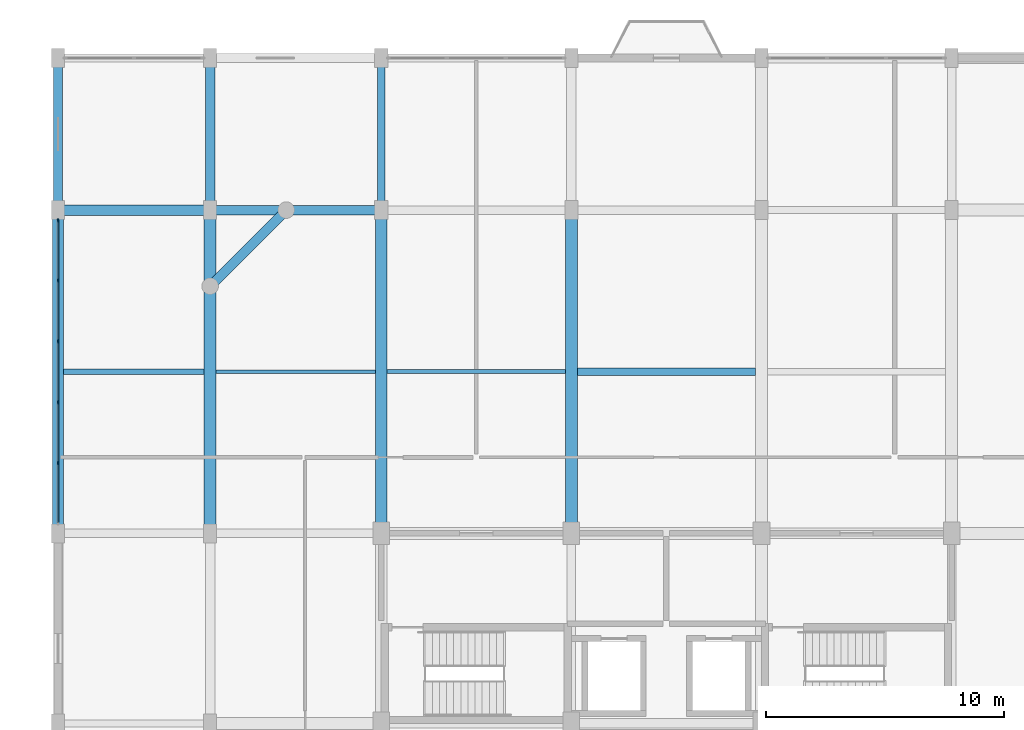
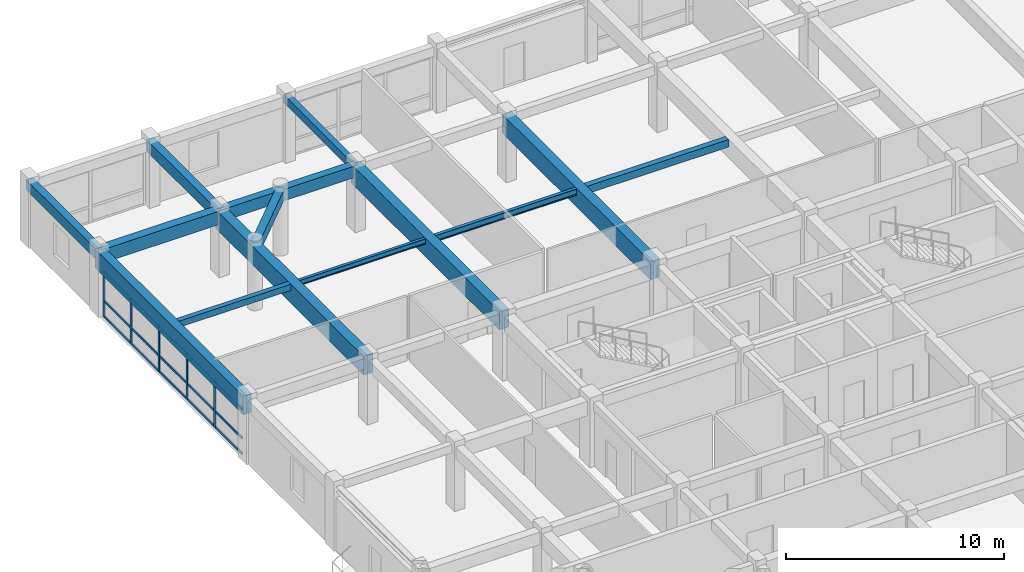
# One storey, part 6 of 15: 20 members, 14 beams, 1 element without a shape of its own.
"""IFC4 building model written with IfcOpenShell, lengths in metres."""

from ifc_helpers import new_model, si_unit, direction, frame, origin, origin_2d, place, context, subcontext, project, spatial, rectangle, i_section, extrude, material, material_profile, profile_set, type_object, element, aggregate, save


model = new_model("IFC4")

# Units and contexts
model_context = context("Model", 3, precision=1e-05, world=origin(), true_north=direction((0.0, 1.0)))
body_context = subcontext(model_context, "Body", "Model", "MODEL_VIEW")
ifc_project = project(units=[si_unit("LENGTHUNIT", "METRE"), si_unit("AREAUNIT", "SQUARE_METRE"), si_unit("VOLUMEUNIT", "CUBIC_METRE"), si_unit("PLANEANGLEUNIT", "RADIAN"), si_unit("MASSUNIT", "GRAM", prefix="KILO")], contexts=[model_context])

# Site, building, storey
site_placement = place(None, origin())
site = spatial("IfcSite", under=ifc_project, at=site_placement, CompositionType="ELEMENT")
building_placement = place(site_placement, origin())
building = spatial("IfcBuilding", under=site, at=building_placement, Name="Vellmiral Cinema and Media Centre", CompositionType="ELEMENT")
storey_placement = place(building_placement, frame((0.0, 0.0, 35.60009765625)))
storey = spatial("IfcBuildingStorey", under=building, at=storey_placement, Name="L08", CompositionType="ELEMENT", Elevation=35.60009765625)

# Beams
ifc_material_1 = material(Name="Concrete C40/50", Category="concrete")
ifc_material_profile_1 = material_profile(ifc_material_1, rectangle(XDim=0.300048828125, YDim=0.449951171875, at=origin_2d()), Name="RC 300x450")
ifc_profile_set_1 = profile_set([ifc_material_profile_1], Name="Concrete C40/50")
beam_type_1 = type_object("IfcBeamType", Name="BM-RC-300x450", PredefinedType="BEAM", material=ifc_profile_set_1)
beam_1_placement = place(storey_placement, frame((124.0, 108.800048828125, 3.369873046875), z_axis=(0.0, 1.0, 0.0), x_axis=(-1.0, 0.0, 0.0)))
element("IfcBeam", 1, at=beam_1_placement, inside=storey, type_object=beam_type_1, Name="Grid Beam L08-Y066", PredefinedType="BEAM", context=body_context, shape_type="SweptSolid", body=[
    extrude(rectangle(XDim=0.300048828125, YDim=0.449951171875, at=origin_2d()), origin(), (0.0, 0.0, 1.0), 6.39990234375),
])
ifc_material_2 = material(Name="Concrete C40/50", Category="concrete")
ifc_material_profile_2 = material_profile(ifc_material_2, rectangle(XDim=0.39990234375, YDim=0.64990234375, at=origin_2d()), Name="RC 400x650")
ifc_profile_set_2 = profile_set([ifc_material_profile_2], Name="Concrete C40/50")
beam_type_2 = type_object("IfcBeamType", Name="BM-RC-400x650", PredefinedType="BEAM", material=ifc_profile_set_2)
beam_2_placement = place(storey_placement, frame((116.800048828125, 108.800048828125, 3.27001953125), z_axis=(1.0, 0.0, 0.0), x_axis=(0.0, 1.0, 0.0)))
element("IfcBeam", 2, at=beam_2_placement, inside=storey, type_object=beam_type_2, Name="Grid Beam L08-X037", PredefinedType="BEAM", context=body_context, shape_type="SweptSolid", body=[
    extrude(rectangle(XDim=0.39990234375, YDim=0.64990234375, at=origin_2d()), origin(), (0.0, 0.0, 1.0), 7.199951171875),
])
beam_3_placement = place(storey_placement, frame((116.800048828125, 108.800048828125, 3.27001953125), z_axis=(0.0, 1.0, 0.0), x_axis=(-1.0, 0.0, 0.0)))
element("IfcBeam", 3, at=beam_3_placement, inside=storey, type_object=beam_type_2, Name="Grid Beam L08-Y060", PredefinedType="BEAM", context=body_context, shape_type="SweptSolid", body=[
    extrude(rectangle(XDim=0.39990234375, YDim=0.64990234375, at=origin_2d()), origin(), (0.0, 0.0, 1.0), 6.39990234375),
])
ifc_material_3 = material(Name="Concrete C40/50", Category="concrete")
ifc_material_profile_3 = material_profile(ifc_material_3, rectangle(XDim=0.449951171875, YDim=0.75, at=origin_2d()), Name="RC 450x750")
ifc_profile_set_3 = profile_set([ifc_material_profile_3], Name="Concrete C40/50")
beam_type_3 = type_object("IfcBeamType", Name="BM-RC-450x750", PredefinedType="BEAM", material=ifc_profile_set_3)
beam_4_placement = place(storey_placement, frame((110.39990234375, 108.800048828125, 3.219970703125), z_axis=(1.0, 0.0, 0.0), x_axis=(0.0, 1.0, 0.0)))
element("IfcBeam", 4, at=beam_4_placement, inside=storey, type_object=beam_type_3, Name="Grid Beam L08-X036", PredefinedType="BEAM", context=body_context, shape_type="SweptSolid", body=[
    extrude(rectangle(XDim=0.449951171875, YDim=0.75, at=origin_2d()), origin(), (0.0, 0.0, 1.0), 6.400146484375),
])
ifc_material_4 = material(Name="Concrete C40/50", Category="concrete")
ifc_material_profile_4 = material_profile(ifc_material_4, rectangle(XDim=0.5, YDim=1.050048828125, at=origin_2d()), Name="RC 500x1050")
ifc_profile_set_4 = profile_set([ifc_material_profile_4], Name="Concrete C40/50")
beam_type_4 = type_object("IfcBeamType", Name="BM-RCG-500x1050", PredefinedType="BEAM", material=ifc_profile_set_4)
for number, where, z_axis, x_axis, name in (
    (5, (116.800048828125, 95.199951171875, 3.06982421875), (0.0, 1.0, 0.0), (-1.0, 0.0, 0.0), "Grid Beam L08-Y059"),
    (6, (124.0, 95.199951171875, 3.06982421875), (0.0, 1.0, 0.0), (-1.0, 0.0, 0.0), "Grid Beam L08-Y065"),
    (7, (132.0, 95.199951171875, 3.06982421875), (0.0, 1.0, 0.0), (-1.0, 0.0, 0.0), "Grid Beam L08-Y071"),
):
    element("IfcBeam", number, at=place(storey_placement, frame(where, z_axis=z_axis, x_axis=x_axis)), inside=storey, type_object=beam_type_4, Name=name, PredefinedType="BEAM", context=body_context, shape_type="SweptSolid", body=[
        extrude(rectangle(XDim=0.5, YDim=1.050048828125, at=origin_2d()), origin(), (0.0, 0.0, 1.0), 13.60009765625),
    ])

# Curtain wall, members
ifc_material_5 = material(Name="Thermally Broken Aluminium and Triple Glazing", Category="aluminium")
curtain_wall_type = type_object("IfcCurtainWallType", Name="CW-TOWER-LOW-N", PredefinedType="USERDEFINED", material=ifc_material_5)
curtain_wall_placement = place(storey_placement, origin())
curtain_wall = element("IfcCurtainWall", 8, at=curtain_wall_placement, inside=storey, type_object=curtain_wall_type, Name="Curtain Wall L08-B025", ObjectType="UNITISED CURTAIN WALL", PredefinedType="USERDEFINED")
ifc_material_6 = material(Name="Thermally Broken Anodised Aluminium", Category="aluminium")
ifc_material_profile_5 = material_profile(ifc_material_6, rectangle(XDim=0.06494140625, YDim=0.159912109375, at=origin_2d()), Name="MULL 65x160")
ifc_profile_set_5 = profile_set([ifc_material_profile_5], Name="Thermally Broken Anodised Aluminium")
member_type_1 = type_object("IfcMemberType", Name="CWM-65x160", PredefinedType="MULLION", material=ifc_profile_set_5)
member_1_placement = place(storey_placement, frame((110.39990234375, 108.367431640625, 0.0), z_axis=(0.0, 0.0, 1.0), x_axis=(1.0, 0.0, 0.0)))
member_1 = element("IfcMember", 9, at=member_1_placement, type_object=member_type_1, Name="CW-05 mullion 1", PredefinedType="MULLION", context=body_context, shape_type="SweptSolid", body=[
    extrude(rectangle(XDim=0.06494140625, YDim=0.159912109375, at=origin_2d()), origin(), (0.0, 0.0, 1.0), 2.534912109375),
])
member_2_placement = place(storey_placement, frame((110.39990234375, 105.840087890625, 0.0), z_axis=(0.0, 0.0, 1.0), x_axis=(1.0, 0.0, 0.0)))
member_2 = element("IfcMember", 10, at=member_2_placement, type_object=member_type_1, Name="CW-05 mullion 2", PredefinedType="MULLION", context=body_context, shape_type="SweptSolid", body=[
    extrude(rectangle(XDim=0.06494140625, YDim=0.159912109375, at=origin_2d()), origin(), (0.0, 0.0, 1.0), 2.534912109375),
])
member_3_placement = place(storey_placement, frame((110.39990234375, 103.280029296875, 0.0), z_axis=(0.0, 0.0, 1.0), x_axis=(1.0, 0.0, 0.0)))
member_3 = element("IfcMember", 11, at=member_3_placement, type_object=member_type_1, Name="CW-05 mullion 3", PredefinedType="MULLION", context=body_context, shape_type="SweptSolid", body=[
    extrude(rectangle(XDim=0.06494140625, YDim=0.159912109375, at=origin_2d()), origin(), (0.0, 0.0, 1.0), 2.534912109375),
])
member_4_placement = place(storey_placement, frame((110.39990234375, 100.719970703125, 0.0), z_axis=(0.0, 0.0, 1.0), x_axis=(1.0, 0.0, 0.0)))
member_4 = element("IfcMember", 12, at=member_4_placement, type_object=member_type_1, Name="CW-05 mullion 4", PredefinedType="MULLION", context=body_context, shape_type="SweptSolid", body=[
    extrude(rectangle(XDim=0.06494140625, YDim=0.159912109375, at=origin_2d()), origin(), (0.0, 0.0, 1.0), 2.534912109375),
])
member_5_placement = place(storey_placement, frame((110.39990234375, 98.159912109375, 0.0), z_axis=(0.0, 0.0, 1.0), x_axis=(1.0, 0.0, 0.0)))
member_5 = element("IfcMember", 13, at=member_5_placement, type_object=member_type_1, Name="CW-05 mullion 5", PredefinedType="MULLION", context=body_context, shape_type="SweptSolid", body=[
    extrude(rectangle(XDim=0.06494140625, YDim=0.159912109375, at=origin_2d()), origin(), (0.0, 0.0, 1.0), 2.534912109375),
])
ifc_material_7 = material(Name="Thermally Broken Anodised Aluminium", Category="aluminium")
ifc_material_profile_6 = material_profile(ifc_material_7, rectangle(XDim=0.06494140625, YDim=0.135009765625, at=origin_2d()), Name="MULL 65x135")
ifc_profile_set_6 = profile_set([ifc_material_profile_6], Name="Thermally Broken Anodised Aluminium")
member_type_2 = type_object("IfcMemberType", Name="CWT-65x135", PredefinedType="USERDEFINED", material=ifc_profile_set_6)
member_6_placement = place(storey_placement, frame((110.39990234375, 108.3349609375, 0.032470703125), z_axis=(0.0, -1.0, 0.0), x_axis=(1.0, 0.0, 0.0)))
member_6 = element("IfcMember", 14, at=member_6_placement, type_object=member_type_2, Name="CW-05 transom 1.1", ObjectType="TRANSOM", PredefinedType="USERDEFINED", context=body_context, shape_type="SweptSolid", body=[
    extrude(rectangle(XDim=0.06494140625, YDim=0.135009765625, at=origin_2d()), origin(), (0.0, 0.0, 1.0), 2.46240234375),
])
member_7_placement = place(storey_placement, frame((110.39990234375, 108.3349609375, 0.89990234375), z_axis=(0.0, -1.0, 0.0), x_axis=(1.0, 0.0, 0.0)))
member_7 = element("IfcMember", 15, at=member_7_placement, type_object=member_type_2, Name="CW-05 transom 1.2", ObjectType="TRANSOM", PredefinedType="USERDEFINED", context=body_context, shape_type="SweptSolid", body=[
    extrude(rectangle(XDim=0.06494140625, YDim=0.135009765625, at=origin_2d()), origin(), (0.0, 0.0, 1.0), 2.46240234375),
])
member_8_placement = place(storey_placement, frame((110.39990234375, 108.3349609375, 2.50244140625), z_axis=(0.0, -1.0, 0.0), x_axis=(1.0, 0.0, 0.0)))
member_8 = element("IfcMember", 16, at=member_8_placement, type_object=member_type_2, Name="CW-05 transom 1.3", ObjectType="TRANSOM", PredefinedType="USERDEFINED", context=body_context, shape_type="SweptSolid", body=[
    extrude(rectangle(XDim=0.06494140625, YDim=0.135009765625, at=origin_2d()), origin(), (0.0, 0.0, 1.0), 2.46240234375),
])
member_9_placement = place(storey_placement, frame((110.39990234375, 105.8076171875, 0.032470703125), z_axis=(0.0, -1.0, 0.0), x_axis=(1.0, 0.0, 0.0)))
member_9 = element("IfcMember", 17, at=member_9_placement, type_object=member_type_2, Name="CW-05 transom 2.1", ObjectType="TRANSOM", PredefinedType="USERDEFINED", context=body_context, shape_type="SweptSolid", body=[
    extrude(rectangle(XDim=0.06494140625, YDim=0.135009765625, at=origin_2d()), origin(), (0.0, 0.0, 1.0), 2.4951171875),
])
member_10_placement = place(storey_placement, frame((110.39990234375, 105.8076171875, 0.89990234375), z_axis=(0.0, -1.0, 0.0), x_axis=(1.0, 0.0, 0.0)))
member_10 = element("IfcMember", 18, at=member_10_placement, type_object=member_type_2, Name="CW-05 transom 2.2", ObjectType="TRANSOM", PredefinedType="USERDEFINED", context=body_context, shape_type="SweptSolid", body=[
    extrude(rectangle(XDim=0.06494140625, YDim=0.135009765625, at=origin_2d()), origin(), (0.0, 0.0, 1.0), 2.4951171875),
])
member_11_placement = place(storey_placement, frame((110.39990234375, 105.8076171875, 2.50244140625), z_axis=(0.0, -1.0, 0.0), x_axis=(1.0, 0.0, 0.0)))
member_11 = element("IfcMember", 19, at=member_11_placement, type_object=member_type_2, Name="CW-05 transom 2.3", ObjectType="TRANSOM", PredefinedType="USERDEFINED", context=body_context, shape_type="SweptSolid", body=[
    extrude(rectangle(XDim=0.06494140625, YDim=0.135009765625, at=origin_2d()), origin(), (0.0, 0.0, 1.0), 2.4951171875),
])
member_12_placement = place(storey_placement, frame((110.39990234375, 103.24755859375, 0.032470703125), z_axis=(0.0, -1.0, 0.0), x_axis=(1.0, 0.0, 0.0)))
member_12 = element("IfcMember", 20, at=member_12_placement, type_object=member_type_2, Name="CW-05 transom 3.1", ObjectType="TRANSOM", PredefinedType="USERDEFINED", context=body_context, shape_type="SweptSolid", body=[
    extrude(rectangle(XDim=0.06494140625, YDim=0.135009765625, at=origin_2d()), origin(), (0.0, 0.0, 1.0), 2.4951171875),
])
member_13_placement = place(storey_placement, frame((110.39990234375, 103.24755859375, 0.89990234375), z_axis=(0.0, -1.0, 0.0), x_axis=(1.0, 0.0, 0.0)))
member_13 = element("IfcMember", 21, at=member_13_placement, type_object=member_type_2, Name="CW-05 transom 3.2", ObjectType="TRANSOM", PredefinedType="USERDEFINED", context=body_context, shape_type="SweptSolid", body=[
    extrude(rectangle(XDim=0.06494140625, YDim=0.135009765625, at=origin_2d()), origin(), (0.0, 0.0, 1.0), 2.4951171875),
])
member_14_placement = place(storey_placement, frame((110.39990234375, 103.24755859375, 2.50244140625), z_axis=(0.0, -1.0, 0.0), x_axis=(1.0, 0.0, 0.0)))
member_14 = element("IfcMember", 22, at=member_14_placement, type_object=member_type_2, Name="CW-05 transom 3.3", ObjectType="TRANSOM", PredefinedType="USERDEFINED", context=body_context, shape_type="SweptSolid", body=[
    extrude(rectangle(XDim=0.06494140625, YDim=0.135009765625, at=origin_2d()), origin(), (0.0, 0.0, 1.0), 2.4951171875),
])
member_15_placement = place(storey_placement, frame((110.39990234375, 100.6875, 0.032470703125), z_axis=(0.0, -1.0, 0.0), x_axis=(1.0, 0.0, 0.0)))
member_15 = element("IfcMember", 23, at=member_15_placement, type_object=member_type_2, Name="CW-05 transom 4.1", ObjectType="TRANSOM", PredefinedType="USERDEFINED", context=body_context, shape_type="SweptSolid", body=[
    extrude(rectangle(XDim=0.06494140625, YDim=0.135009765625, at=origin_2d()), origin(), (0.0, 0.0, 1.0), 2.4951171875),
])
member_16_placement = place(storey_placement, frame((110.39990234375, 100.6875, 0.89990234375), z_axis=(0.0, -1.0, 0.0), x_axis=(1.0, 0.0, 0.0)))
member_16 = element("IfcMember", 24, at=member_16_placement, type_object=member_type_2, Name="CW-05 transom 4.2", ObjectType="TRANSOM", PredefinedType="USERDEFINED", context=body_context, shape_type="SweptSolid", body=[
    extrude(rectangle(XDim=0.06494140625, YDim=0.135009765625, at=origin_2d()), origin(), (0.0, 0.0, 1.0), 2.4951171875),
])
member_17_placement = place(storey_placement, frame((110.39990234375, 100.6875, 2.50244140625), z_axis=(0.0, -1.0, 0.0), x_axis=(1.0, 0.0, 0.0)))
member_17 = element("IfcMember", 25, at=member_17_placement, type_object=member_type_2, Name="CW-05 transom 4.3", ObjectType="TRANSOM", PredefinedType="USERDEFINED", context=body_context, shape_type="SweptSolid", body=[
    extrude(rectangle(XDim=0.06494140625, YDim=0.135009765625, at=origin_2d()), origin(), (0.0, 0.0, 1.0), 2.4951171875),
])
member_18_placement = place(storey_placement, frame((110.39990234375, 98.12744140625, 0.032470703125), z_axis=(0.0, -1.0, 0.0), x_axis=(1.0, 0.0, 0.0)))
member_18 = element("IfcMember", 26, at=member_18_placement, type_object=member_type_2, Name="CW-05 transom 5.1", ObjectType="TRANSOM", PredefinedType="USERDEFINED", context=body_context, shape_type="SweptSolid", body=[
    extrude(rectangle(XDim=0.06494140625, YDim=0.135009765625, at=origin_2d()), origin(), (0.0, 0.0, 1.0), 2.46240234375),
])
member_19_placement = place(storey_placement, frame((110.39990234375, 98.12744140625, 0.89990234375), z_axis=(0.0, -1.0, 0.0), x_axis=(1.0, 0.0, 0.0)))
member_19 = element("IfcMember", 27, at=member_19_placement, type_object=member_type_2, Name="CW-05 transom 5.2", ObjectType="TRANSOM", PredefinedType="USERDEFINED", context=body_context, shape_type="SweptSolid", body=[
    extrude(rectangle(XDim=0.06494140625, YDim=0.135009765625, at=origin_2d()), origin(), (0.0, 0.0, 1.0), 2.46240234375),
])
member_20_placement = place(storey_placement, frame((110.39990234375, 98.12744140625, 2.50244140625), z_axis=(0.0, -1.0, 0.0), x_axis=(1.0, 0.0, 0.0)))
member_20 = element("IfcMember", 28, at=member_20_placement, type_object=member_type_2, Name="CW-05 transom 5.3", ObjectType="TRANSOM", PredefinedType="USERDEFINED", context=body_context, shape_type="SweptSolid", body=[
    extrude(rectangle(XDim=0.06494140625, YDim=0.135009765625, at=origin_2d()), origin(), (0.0, 0.0, 1.0), 2.46240234375),
])
aggregate(curtain_wall, [member_1, member_2, member_3, member_4, member_5, member_6, member_7, member_8, member_9, member_10, member_11, member_12, member_13, member_14, member_15, member_16, member_17, member_18, member_19, member_20])

# Beams
ifc_material_8 = material(Name="Concrete C40/50", Category="concrete")
ifc_material_profile_7 = material_profile(ifc_material_8, rectangle(XDim=0.25, YDim=0.35009765625, at=origin_2d()), Name="RC 250x350")
ifc_profile_set_7 = profile_set([ifc_material_profile_7], Name="Concrete C40/50")
beam_type_5 = type_object("IfcBeamType", Name="JST-RC-250x350", PredefinedType="JOIST", material=ifc_profile_set_7)
beam_5_placement = place(storey_placement, frame((110.625, 102.0, 3.419921875), z_axis=(1.0, 0.0, 0.0), x_axis=(0.0, 1.0, 0.0)))
element("IfcBeam", 29, at=beam_5_placement, inside=storey, type_object=beam_type_5, Name="Secondary Floor Joist L08-001", PredefinedType="JOIST", context=body_context, shape_type="SweptSolid", body=[
    extrude(rectangle(XDim=0.25, YDim=0.35009765625, at=origin_2d()), origin(), (0.0, 0.0, 1.0), 5.925048828125),
])
ifc_material_9 = material(Name="Concrete C40/50", Category="concrete")
ifc_material_profile_8 = material_profile(ifc_material_9, rectangle(XDim=0.300048828125, YDim=0.419921875, at=origin_2d()), Name="RC 300x420")
ifc_profile_set_8 = profile_set([ifc_material_profile_8], Name="Concrete C40/50")
beam_type_6 = type_object("IfcBeamType", Name="JST-RC-300x420", PredefinedType="JOIST", material=ifc_profile_set_8)
beam_6_placement = place(storey_placement, frame((132.25, 102.0, 3.385009765625), z_axis=(1.0, 0.0, 0.0), x_axis=(0.0, 1.0, 0.0)))
element("IfcBeam", 30, at=beam_6_placement, inside=storey, type_object=beam_type_6, Name="Secondary Floor Joist L08-004", PredefinedType="JOIST", context=body_context, shape_type="SweptSolid", body=[
    extrude(rectangle(XDim=0.300048828125, YDim=0.419921875, at=origin_2d()), origin(), (0.0, 0.0, 1.0), 7.5),
])
ifc_material_10 = material(Name="Steel S355", Category="steel")
ifc_material_profile_9 = material_profile(ifc_material_10, i_section(OverallWidth=0.14990234375, OverallDepth=0.300048828125, WebThickness=0.007080078125, FlangeThickness=0.0107421875, FilletRadius=0.014892578125, at=origin_2d()), Name="IPE 300")
ifc_profile_set_9 = profile_set([ifc_material_profile_9], Name="Steel S355")
beam_type_7 = type_object("IfcBeamType", Name="SBM-IPE300", PredefinedType="JOIST", material=ifc_profile_set_9)
beam_7_placement = place(storey_placement, frame((117.050048828125, 102.0, 3.44482421875), z_axis=(1.0, 0.0, 0.0), x_axis=(0.0, 1.0, 0.0)))
element("IfcBeam", 31, at=beam_7_placement, inside=storey, type_object=beam_type_7, Name="Secondary Floor Joist L08-002", PredefinedType="JOIST", context=body_context, shape_type="SweptSolid", body=[
    extrude(i_section(OverallWidth=0.14990234375, OverallDepth=0.300048828125, WebThickness=0.007080078125, FlangeThickness=0.0107421875, FilletRadius=0.014892578125, at=origin_2d()), origin(), (0.0, 0.0, 1.0), 6.699951171875),
])
ifc_material_11 = material(Name="Steel S355", Category="steel")
ifc_material_profile_10 = material_profile(ifc_material_11, i_section(OverallWidth=0.169921875, OverallDepth=0.360107421875, WebThickness=0.008056640625, FlangeThickness=0.0126953125, FilletRadius=0.01806640625, at=origin_2d()), Name="IPE 360")
ifc_profile_set_10 = profile_set([ifc_material_profile_10], Name="Steel S355")
beam_type_8 = type_object("IfcBeamType", Name="SBM-IPE360", PredefinedType="JOIST", material=ifc_profile_set_10)
beam_8_placement = place(storey_placement, frame((124.25, 102.0, 3.414794921875), z_axis=(1.0, 0.0, 0.0), x_axis=(0.0, 1.0, 0.0)))
element("IfcBeam", 32, at=beam_8_placement, inside=storey, type_object=beam_type_8, Name="Secondary Floor Joist L08-003", PredefinedType="JOIST", context=body_context, shape_type="SweptSolid", body=[
    extrude(i_section(OverallWidth=0.169921875, OverallDepth=0.360107421875, WebThickness=0.008056640625, FlangeThickness=0.0126953125, FilletRadius=0.01806640625, at=origin_2d()), origin(), (0.0, 0.0, 1.0), 7.5),
])
ifc_material_12 = material(Name="Concrete C40/50", Category="concrete")
ifc_material_profile_11 = material_profile(ifc_material_12, rectangle(XDim=0.39990234375, YDim=0.60009765625, at=origin_2d()), Name="RC 400x600")
ifc_profile_set_11 = profile_set([ifc_material_profile_11], Name="Concrete C40/50")
beam_type_9 = type_object("IfcBeamType", Name="SPD-RC-400x600", PredefinedType="SPANDREL", material=ifc_profile_set_11)
beam_9_placement = place(storey_placement, frame((116.800048828125, 105.60009765625, 3.294921875), z_axis=(0.707106781187, 0.707106781187, 0.0), x_axis=(-0.707106781187, 0.707106781187, 0.0)))
element("IfcBeam", 33, at=beam_9_placement, inside=storey, type_object=beam_type_9, Name="Xamfra Chamfer Spandrel Beam L08-097", PredefinedType="SPANDREL", context=body_context, shape_type="SweptSolid", body=[
    extrude(rectangle(XDim=0.39990234375, YDim=0.60009765625, at=origin_2d()), origin(), (0.0, 0.0, 1.0), 4.525390625),
])
ifc_material_13 = material(Name="Concrete C40/50", Category="concrete")
ifc_material_profile_12 = material_profile(ifc_material_13, rectangle(XDim=0.449951171875, YDim=1.050048828125, at=origin_2d()), Name="RC 450x1050")
ifc_profile_set_12 = profile_set([ifc_material_profile_12], Name="Concrete C40/50")
beam_type_10 = type_object("IfcBeamType", Name="SPD-RCG-450x1050", PredefinedType="SPANDREL", material=ifc_profile_set_12)
beam_10_placement = place(storey_placement, frame((110.39990234375, 95.199951171875, 3.06982421875), z_axis=(0.0, 1.0, 0.0), x_axis=(-1.0, 0.0, 0.0)))
element("IfcBeam", 34, at=beam_10_placement, inside=storey, type_object=beam_type_10, Name="Grid Beam L08-Y053", PredefinedType="SPANDREL", context=body_context, shape_type="SweptSolid", body=[
    extrude(rectangle(XDim=0.449951171875, YDim=1.050048828125, at=origin_2d()), origin(), (0.0, 0.0, 1.0), 13.60009765625),
])
ifc_material_14 = material(Name="Vosges Red Sandstone Masonry", Category="masonry")
ifc_material_profile_13 = material_profile(ifc_material_14, rectangle(XDim=0.3798828125, YDim=0.580078125, at=origin_2d()), Name="SAND 380x580")
ifc_profile_set_13 = profile_set([ifc_material_profile_13], Name="Vosges Red Sandstone Masonry")
beam_type_11 = type_object("IfcBeamType", Name="SPD-SAND-380x580", PredefinedType="SPANDREL", material=ifc_profile_set_13)
beam_11_placement = place(storey_placement, frame((110.39990234375, 108.800048828125, 3.304931640625), z_axis=(0.0, 1.0, 0.0), x_axis=(-1.0, 0.0, 0.0)))
element("IfcBeam", 35, at=beam_11_placement, inside=storey, type_object=beam_type_11, Name="Grid Beam L08-Y054", PredefinedType="SPANDREL", context=body_context, shape_type="SweptSolid", body=[
    extrude(rectangle(XDim=0.3798828125, YDim=0.580078125, at=origin_2d()), origin(), (0.0, 0.0, 1.0), 6.39990234375),
])

save(model, "model.ifc")
